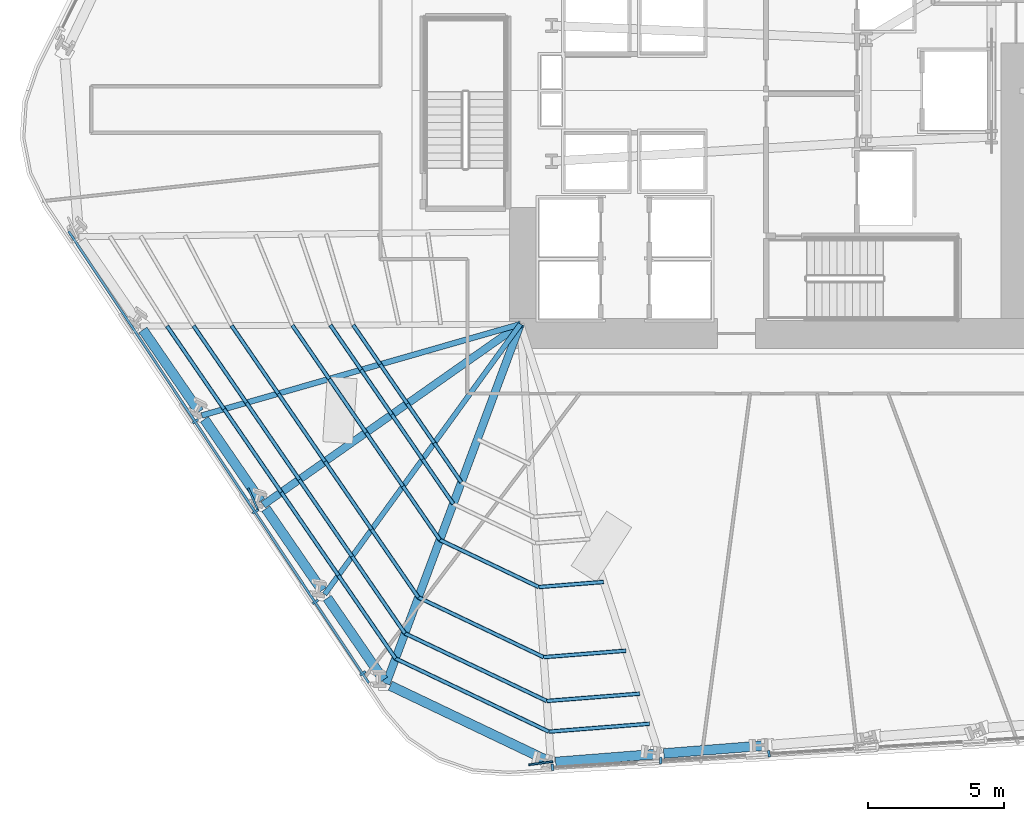
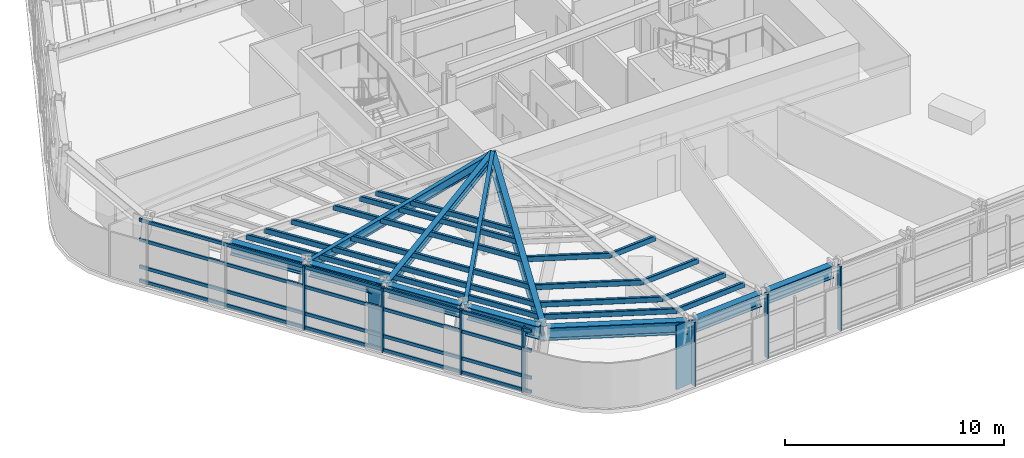
# One storey, part 2 of 15: 45 members, 11 beams, 2 elements without a shape of their own.
"""IFC4 building model written with IfcOpenShell, lengths in metres."""

from ifc_helpers import new_model, si_unit, direction, frame, origin, origin_2d, place, context, subcontext, project, spatial, rectangle, hollow_rectangle, i_section, extrude, material, layer, layer_set, material_profile, profile_set, type_object, element, aggregate, save


model = new_model("IFC4")

# Units and contexts
model_context = context("Model", 3, precision=1e-05, world=origin(), true_north=direction((0.0, 1.0)))
body_context = subcontext(model_context, "Body", "Model", "MODEL_VIEW")
ifc_project = project(units=[si_unit("LENGTHUNIT", "METRE"), si_unit("AREAUNIT", "SQUARE_METRE"), si_unit("VOLUMEUNIT", "CUBIC_METRE"), si_unit("PLANEANGLEUNIT", "RADIAN"), si_unit("MASSUNIT", "GRAM", prefix="KILO")], contexts=[model_context])

# Site, building, storey
site_placement = place(None, origin())
site = spatial("IfcSite", under=ifc_project, at=site_placement, CompositionType="ELEMENT")
building_placement = place(site_placement, origin())
building = spatial("IfcBuilding", under=site, at=building_placement, Name="Valkerne Bourse Tower", CompositionType="ELEMENT")
storey_placement = place(building_placement, frame((0.0, 0.0, 39.199951171875)))
storey = spatial("IfcBuildingStorey", under=building, at=storey_placement, Name="L09", CompositionType="ELEMENT", Elevation=39.199951171875)

# Beams
ifc_material_1 = material(Name="Steel ASTM A992", Category="steel")
ifc_material_profile_1 = material_profile(ifc_material_1, i_section(OverallWidth=0.1904296875, OverallDepth=0.457275390625, WebThickness=0.009033203125, FlangeThickness=0.014404296875, FilletRadius=0.01513671875, at=origin_2d()), Name="W18X50")
ifc_profile_set_1 = profile_set([ifc_material_profile_1], Name="Steel ASTM A992")
beam_type_1 = type_object("IfcBeamType", Name="BM-W18X50", PredefinedType="JOIST", material=ifc_profile_set_1)
beam_1_placement = place(storey_placement, frame((30.389404296875, 8.4482421875, 3.3515625), z_axis=(0.586740323091, 0.809775149816, 0.0), x_axis=(-0.809775149816, 0.586740323091, 0.0)))
element("IfcBeam", 1, at=beam_1_placement, inside=storey, type_object=beam_type_1, Name="L09 Radial Composite Floor Beam 22", PredefinedType="JOIST", context=body_context, shape_type="SweptSolid", body=[
    extrude(i_section(OverallWidth=0.1904296875, OverallDepth=0.457275390625, WebThickness=0.009033203125, FlangeThickness=0.014404296875, FilletRadius=0.01513671875, at=origin_2d()), origin(), (0.0, 0.0, 1.0), 12.289306640625),
])
ifc_material_profile_2 = material_profile(ifc_material_1, i_section(OverallWidth=0.279296875, OverallDepth=0.46240234375, WebThickness=0.0107421875, FlangeThickness=0.017333984375, FilletRadius=0.017822265625, at=origin_2d()), Name="W18X76")
ifc_profile_set_2 = profile_set([ifc_material_profile_2], Name="Steel ASTM A992")
beam_type_2 = type_object("IfcBeamType", Name="BM-W18X76", PredefinedType="BEAM", material=ifc_profile_set_2)
beam_2_placement = place(storey_placement, frame((28.126220703125, 11.741455078125, 3.348876953125), z_axis=(0.818145856943, 0.575010744914, 0.0), x_axis=(-0.575010744914, 0.818145856943, 0.0)))
element("IfcBeam", 2, at=beam_2_placement, inside=storey, type_object=beam_type_2, Name="L09 Radial Composite Floor Beam 21", PredefinedType="BEAM", context=body_context, shape_type="SweptSolid", body=[
    extrude(i_section(OverallWidth=0.279296875, OverallDepth=0.46240234375, WebThickness=0.0107421875, FlangeThickness=0.017333984375, FilletRadius=0.017822265625, at=origin_2d()), origin(), (0.0, 0.0, 1.0), 11.57958984375),
])
ifc_material_profile_3 = material_profile(ifc_material_1, i_section(OverallWidth=0.209228515625, OverallDepth=0.533447265625, WebThickness=0.01025390625, FlangeThickness=0.015625, FilletRadius=0.017822265625, at=origin_2d()), Name="W21X62")
ifc_profile_set_3 = profile_set([ifc_material_profile_3], Name="Steel ASTM A992")
beam_type_3 = type_object("IfcBeamType", Name="BM-W21X62", PredefinedType="JOIST", material=ifc_profile_set_3)
beam_3_placement = place(storey_placement, frame((25.86279296875, 15.03466796875, 3.313232421875), z_axis=(0.961270019245, 0.275608327342, 0.0), x_axis=(-0.275608327342, 0.961270019245, 0.0)))
element("IfcBeam", 3, at=beam_3_placement, inside=storey, type_object=beam_type_3, Name="L09 Radial Composite Floor Beam 20", PredefinedType="JOIST", context=body_context, shape_type="SweptSolid", body=[
    extrude(i_section(OverallWidth=0.209228515625, OverallDepth=0.533447265625, WebThickness=0.01025390625, FlangeThickness=0.015625, FilletRadius=0.017822265625, at=origin_2d()), origin(), (0.0, 0.0, 1.0), 12.210205078125),
])
ifc_material_profile_4 = material_profile(ifc_material_1, i_section(OverallWidth=0.358154296875, OverallDepth=0.7060546875, WebThickness=0.018310546875, FlangeThickness=0.0302734375, FilletRadius=0.02294921875, at=origin_2d()), Name="W27X178")
ifc_profile_set_4 = profile_set([ifc_material_profile_4], Name="Steel ASTM A992")
beam_type_4 = type_object("IfcBeamType", Name="BM-W27X178", PredefinedType="SPANDREL", material=ifc_profile_set_4)
for number, where, z_axis, x_axis, name in (
    (4, (23.69580078125, 18.187744140625, 3.22705078125), (0.566418287264, -0.824117906523, 0.0), (0.824117906523, 0.566418287264, 0.0), "L09 Hexagonal Spandrel Ring Beam 19"),
    (5, (25.958984375, 14.89453125, 3.22705078125), (0.566418287264, -0.824117906523, 0.0), (0.824117906523, 0.566418287264, 0.0), "L09 Hexagonal Spandrel Ring Beam 20"),
    (6, (28.222412109375, 11.601318359375, 3.22705078125), (0.566418287264, -0.824117906523, 0.0), (0.824117906523, 0.566418287264, 0.0), "L09 Hexagonal Spandrel Ring Beam 21"),
):
    element("IfcBeam", number, at=place(storey_placement, frame(where, z_axis=z_axis, x_axis=x_axis)), inside=storey, type_object=beam_type_4, Name=name, PredefinedType="SPANDREL", context=body_context, shape_type="SweptSolid", body=[
        extrude(i_section(OverallWidth=0.358154296875, OverallDepth=0.7060546875, WebThickness=0.018310546875, FlangeThickness=0.0302734375, FilletRadius=0.02294921875, at=origin_2d()), origin(), (0.0, 0.0, 1.0), 3.656005859375),
    ])
beam_4_placement = place(storey_placement, frame((30.48583984375, 8.30810546875, 3.22705078125), z_axis=(0.566372930471, -0.824149078522, 0.0), x_axis=(0.824149078522, 0.566372930471, 0.0)))
element("IfcBeam", 7, at=beam_4_placement, inside=storey, type_object=beam_type_4, Name="L09 Hexagonal Spandrel Ring Beam 22", PredefinedType="SPANDREL", context=body_context, shape_type="SweptSolid", body=[
    extrude(i_section(OverallWidth=0.358154296875, OverallDepth=0.7060546875, WebThickness=0.018310546875, FlangeThickness=0.0302734375, FilletRadius=0.02294921875, at=origin_2d()), origin(), (0.0, 0.0, 1.0), 3.65576171875),
])
beam_5_placement = place(storey_placement, frame((32.80615234375, 5.081787109375, 3.22705078125), z_axis=(0.902594772844, -0.430491203203, 0.0), x_axis=(0.430491203203, 0.902594772844, 0.0)))
element("IfcBeam", 8, at=beam_5_placement, inside=storey, type_object=beam_type_4, Name="L09 Hexagonal Spandrel Ring Beam 23", PredefinedType="SPANDREL", context=body_context, shape_type="SweptSolid", body=[
    extrude(i_section(OverallWidth=0.358154296875, OverallDepth=0.7060546875, WebThickness=0.018310546875, FlangeThickness=0.0302734375, FilletRadius=0.02294921875, at=origin_2d()), origin(), (0.0, 0.0, 1.0), 6.38916015625),
])
for number, where, z_axis, x_axis, name in (
    (9, (38.895751953125, 2.271484375, 3.22705078125), (0.996917008748, 0.07846322495, 0.0), (-0.07846322495, 0.996917008748, 0.0), "L09 Hexagonal Spandrel Ring Beam 24"),
    (10, (42.87939453125, 2.5849609375, 3.22705078125), (0.996917008748, 0.07846322495, 0.0), (-0.07846322495, 0.996917008748, 0.0), "L09 Hexagonal Spandrel Ring Beam 25"),
):
    element("IfcBeam", number, at=place(storey_placement, frame(where, z_axis=z_axis, x_axis=x_axis)), inside=storey, type_object=beam_type_4, Name=name, PredefinedType="SPANDREL", context=body_context, shape_type="SweptSolid", body=[
        extrude(i_section(OverallWidth=0.358154296875, OverallDepth=0.7060546875, WebThickness=0.018310546875, FlangeThickness=0.0302734375, FilletRadius=0.02294921875, at=origin_2d()), origin(), (0.0, 0.0, 1.0), 3.656005859375),
    ])
ifc_material_profile_5 = material_profile(ifc_material_1, i_section(OverallWidth=0.2919921875, OverallDepth=0.8583984375, WebThickness=0.01708984375, FlangeThickness=0.031005859375, FilletRadius=0.025390625, at=origin_2d()), Name="W33X169")
ifc_profile_set_5 = profile_set([ifc_material_profile_5], Name="Steel ASTM A992")
beam_type_5 = type_object("IfcBeamType", Name="BM-W33X169", PredefinedType="BEAM", material=ifc_profile_set_5)
beam_6_placement = place(storey_placement, frame((32.65283203125, 5.155029296875, 3.150634765625), z_axis=(0.349910158878, 0.936783262401, 0.0), x_axis=(-0.936783262401, 0.349910158878, 0.0)))
element("IfcBeam", 11, at=beam_6_placement, inside=storey, type_object=beam_type_5, Name="L09 Radial Composite Floor Beam 23", PredefinedType="BEAM", context=body_context, shape_type="SweptSolid", body=[
    extrude(i_section(OverallWidth=0.2919921875, OverallDepth=0.8583984375, WebThickness=0.01708984375, FlangeThickness=0.031005859375, FilletRadius=0.025390625, at=origin_2d()), origin(), (0.0, 0.0, 1.0), 14.138671875),
])

# Curtain wall, members
ifc_material_2 = material(Name="Aluminium AA 6063-T6", Category="aluminium")
ifc_layer = layer(ifc_material_2, 0.22509765625)
ifc_layer_set = layer_set([ifc_layer], Name="Aluminium AA 6063-T6")
curtain_wall_type = type_object("IfcCurtainWallType", Name="CW-01", PredefinedType="NOTDEFINED", material=ifc_layer_set)
curtain_wall_1_placement = place(storey_placement, origin())
curtain_wall_1 = element("IfcCurtainWall", 12, at=curtain_wall_1_placement, inside=storey, type_object=curtain_wall_type, Name="L09 Hexagonal Stick Curtain Wall Face 4", PredefinedType="NOTDEFINED")
ifc_material_profile_6 = material_profile(ifc_material_2, rectangle(XDim=0.090087890625, YDim=0.239990234375, at=origin_2d()), Name="CWM-90X240")
ifc_profile_set_6 = profile_set([ifc_material_profile_6], Name="Aluminium AA 6063-T6")
member_type_1 = type_object("IfcMemberType", Name="CW-MUL-240X90", PredefinedType="MULLION", material=ifc_profile_set_6)
member_1_placement = place(storey_placement, frame((25.626708984375, 14.826904296875, 0.0), z_axis=(0.0, 0.0, 1.0), x_axis=(0.553377022495, -0.832930892076, 0.0)))
member_1 = element("IfcMember", 13, at=member_1_placement, type_object=member_type_1, Name="CW-L09-F4 Jamb Mullion 02A", PredefinedType="MULLION", context=body_context, shape_type="SweptSolid", body=[
    extrude(rectangle(XDim=0.090087890625, YDim=0.239990234375, at=origin_2d()), origin(), (0.0, 0.0, 1.0), 3.580078125),
])
member_2_placement = place(storey_placement, frame((27.837890625, 11.49853515625, 0.0), z_axis=(0.0, 0.0, 1.0), x_axis=(0.553405918649, -0.832911693521, 0.0)))
member_2 = element("IfcMember", 14, at=member_2_placement, type_object=member_type_1, Name="CW-L09-F4 Jamb Mullion 03A", PredefinedType="MULLION", context=body_context, shape_type="SweptSolid", body=[
    extrude(rectangle(XDim=0.090087890625, YDim=0.239990234375, at=origin_2d()), origin(), (0.0, 0.0, 1.0), 3.580078125),
])
member_3_placement = place(storey_placement, frame((30.04931640625, 8.17041015625, 0.0), z_axis=(0.0, 0.0, 1.0), x_axis=(0.553377022495, -0.832930892076, 0.0)))
member_3 = element("IfcMember", 15, at=member_3_placement, type_object=member_type_1, Name="CW-L09-F4 Jamb Mullion 04A", PredefinedType="MULLION", context=body_context, shape_type="SweptSolid", body=[
    extrude(rectangle(XDim=0.090087890625, YDim=0.239990234375, at=origin_2d()), origin(), (0.0, 0.0, 1.0), 3.580078125),
])
member_4_placement = place(storey_placement, frame((31.7958984375, 5.54150390625, 0.0), z_axis=(0.0, 0.0, 1.0), x_axis=(0.553377022495, -0.832930892076, 0.0)))
member_4 = element("IfcMember", 16, at=member_4_placement, type_object=member_type_1, Name="CW-L09-F4 Jamb Mullion 04B", PredefinedType="MULLION", context=body_context, shape_type="SweptSolid", body=[
    extrude(rectangle(XDim=0.090087890625, YDim=0.239990234375, at=origin_2d()), origin(), (0.0, 0.0, 1.0), 3.580078125),
])

curtain_wall_2_placement = place(storey_placement, origin())
curtain_wall_2 = element("IfcCurtainWall", 17, at=curtain_wall_2_placement, inside=storey, type_object=curtain_wall_type, Name="L09 Hexagonal Stick Curtain Wall Face 5", PredefinedType="NOTDEFINED")
member_5_placement = place(storey_placement, frame((38.779296875, 2.074951171875, 0.0), z_axis=(0.0, 0.0, 1.0), x_axis=(0.998025316519, 0.062812957155, 0.0)))
member_5 = element("IfcMember", 18, at=member_5_placement, type_object=member_type_1, Name="CW-L09-F5 Jamb Mullion 00A", PredefinedType="MULLION", context=body_context, shape_type="SweptSolid", body=[
    extrude(rectangle(XDim=0.090087890625, YDim=0.239990234375, at=origin_2d()), origin(), (0.0, 0.0, 1.0), 3.580078125),
])
member_6_placement = place(storey_placement, frame((42.767333984375, 2.325927734375, 0.0), z_axis=(0.0, 0.0, 1.0), x_axis=(0.998026885005, 0.062788030758, 0.0)))
member_6 = element("IfcMember", 19, at=member_6_placement, type_object=member_type_1, Name="CW-L09-F5 Jamb Mullion 01A", PredefinedType="MULLION", context=body_context, shape_type="SweptSolid", body=[
    extrude(rectangle(XDim=0.090087890625, YDim=0.239990234375, at=origin_2d()), origin(), (0.0, 0.0, 1.0), 3.580078125),
])
member_7_placement = place(storey_placement, frame((46.75537109375, 2.576904296875, 0.0), z_axis=(0.0, 0.0, 1.0), x_axis=(0.99802698366, 0.062786462608, 0.0)))
member_7 = element("IfcMember", 20, at=member_7_placement, type_object=member_type_1, Name="CW-L09-F5 Jamb Mullion 02A", PredefinedType="MULLION", context=body_context, shape_type="SweptSolid", body=[
    extrude(rectangle(XDim=0.090087890625, YDim=0.239990234375, at=origin_2d()), origin(), (0.0, 0.0, 1.0), 3.580078125),
])
aggregate(curtain_wall_2, [member_5, member_6, member_7])

# Member
ifc_material_profile_7 = material_profile(ifc_material_2, rectangle(XDim=0.090087890625, YDim=0.179931640625, at=origin_2d()), Name="CWT-90X180")
ifc_profile_set_7 = profile_set([ifc_material_profile_7], Name="Aluminium AA 6063-T6")
member_type_2 = type_object("IfcMemberType", Name="CW-TRN-180X90", PredefinedType="USERDEFINED", material=ifc_profile_set_7)
member_8_placement = place(storey_placement, frame((20.954833984375, 21.822509765625, 0.1201171875), z_axis=(0.553385464965, -0.832925283063, 0.0), x_axis=(0.832925283063, 0.553385464965, 0.0)))
member_8 = element("IfcMember", 21, at=member_8_placement, type_object=member_type_2, Name="CW-L09-F4 Continuous Face Transom 1", ObjectType="TRANSOM", PredefinedType="USERDEFINED", context=body_context, shape_type="SweptSolid", body=[
    extrude(rectangle(XDim=0.090087890625, YDim=0.179931640625, at=origin_2d()), origin(), (0.0, 0.0, 1.0), 19.97998046875),
])

member_9_placement = place(storey_placement, frame((20.954833984375, 21.822509765625, 0.900146484375), z_axis=(0.553385464965, -0.832925283063, 0.0), x_axis=(0.832925283063, 0.553385464965, 0.0)))
member_9 = element("IfcMember", 22, at=member_9_placement, type_object=member_type_2, Name="CW-L09-F4 Continuous Face Transom 2", ObjectType="TRANSOM", PredefinedType="USERDEFINED", context=body_context, shape_type="SweptSolid", body=[
    extrude(rectangle(XDim=0.090087890625, YDim=0.179931640625, at=origin_2d()), origin(), (0.0, 0.0, 1.0), 19.97998046875),
])

member_10_placement = place(storey_placement, frame((20.954833984375, 21.822509765625, 2.400146484375), z_axis=(0.553385464965, -0.832925283063, 0.0), x_axis=(0.832925283063, 0.553385464965, 0.0)))
member_10 = element("IfcMember", 23, at=member_10_placement, type_object=member_type_2, Name="CW-L09-F4 Continuous Face Transom 3", ObjectType="TRANSOM", PredefinedType="USERDEFINED", context=body_context, shape_type="SweptSolid", body=[
    extrude(rectangle(XDim=0.090087890625, YDim=0.179931640625, at=origin_2d()), origin(), (0.0, 0.0, 1.0), 19.97998046875),
])

member_11_placement = place(storey_placement, frame((20.954833984375, 21.822509765625, 3.5), z_axis=(0.553385464965, -0.832925283063, 0.0), x_axis=(0.832925283063, 0.553385464965, 0.0)))
member_11 = element("IfcMember", 24, at=member_11_placement, type_object=member_type_2, Name="CW-L09-F4 Continuous Face Transom 4", ObjectType="TRANSOM", PredefinedType="USERDEFINED", context=body_context, shape_type="SweptSolid", body=[
    extrude(rectangle(XDim=0.090087890625, YDim=0.179931640625, at=origin_2d()), origin(), (0.0, 0.0, 1.0), 19.97998046875),
])

aggregate(curtain_wall_1, [member_8, member_9, member_10, member_11, member_1, member_2, member_3, member_4])

# Members
ifc_material_3 = material(Name="Bronze Anodised Aluminium AA 6063-T6", Category="aluminium")
ifc_material_profile_8 = material_profile(ifc_material_3, rectangle(XDim=0.070068359375, YDim=0.89990234375, at=origin_2d()), Name="FIN-70X900")
ifc_profile_set_8 = profile_set([ifc_material_profile_8], Name="Bronze Anodised Aluminium AA 6063-T6")
member_type_3 = type_object("IfcMemberType", Name="FIN-SOLAR-900", PredefinedType="USERDEFINED", material=ifc_profile_set_8)
for number, where, z_axis, x_axis, name in (
    (25, (27.75537109375, 11.947998046875, 0.004150390625), (0.0, 0.0, 1.0), (-0.913040213638, -0.407869548115, 0.0), "L09 Bronze Anodised Solar Fin F4-03"),
    (26, (38.348876953125, 2.228271484375, 0.004150390625), (0.0, 0.0, 1.0), (0.134300160338, -0.99094069799, 0.0), "L09 Bronze Anodised Solar Fin F5-00"),
):
    element("IfcMember", number, at=place(storey_placement, frame(where, z_axis=z_axis, x_axis=x_axis)), inside=storey, type_object=member_type_3, Name=name, ObjectType="SOLAR_FIN", PredefinedType="USERDEFINED", context=body_context, shape_type="SweptSolid", body=[
        extrude(rectangle(XDim=0.070068359375, YDim=0.89990234375, at=origin_2d()), origin(), (0.0, 0.0, 1.0), 3.57177734375),
    ])
ifc_material_4 = material(Name="Steel ASTM A500 Grade C", Category="steel")
ifc_material_profile_9 = material_profile(ifc_material_4, hollow_rectangle(XDim=0.14990234375, YDim=0.300048828125, WallThickness=0.012451171875, OuterFilletRadius=0.02490234375, at=origin_2d()), Name="HSS300X150X12.5")
ifc_profile_set_9 = profile_set([ifc_material_profile_9], Name="Steel ASTM A500 Grade C")
member_type_4 = type_object("IfcMemberType", Name="MBR-HSS300X150X12.5", PredefinedType="PURLIN", material=ifc_profile_set_9)
for number, where, z_axis, x_axis, name in (
    (27, (31.439697265625, 18.3681640625, 3.420166015625), (0.56640505905, -0.824126998152, 0.0), (0.824126998152, 0.56640505905, 0.0), "L09 Secondary Composite Floor Purlin K-19"),
    (28, (32.435546875, 16.919189453125, 3.420166015625), (0.56640505905, -0.824126998152, 0.0), (0.824126998152, 0.56640505905, 0.0), "L09 Secondary Composite Floor Purlin K-20"),
    (29, (33.431396484375, 15.47021484375, 3.420166015625), (0.566499358783, -0.824062179995, 0.0), (0.824062179995, 0.566499358783, 0.0), "L09 Secondary Composite Floor Purlin K-21"),
):
    element("IfcMember", number, at=place(storey_placement, frame(where, z_axis=z_axis, x_axis=x_axis)), inside=storey, type_object=member_type_4, Name=name, PredefinedType="PURLIN", context=body_context, shape_type="SweptSolid", body=[
        extrude(hollow_rectangle(XDim=0.14990234375, YDim=0.300048828125, WallThickness=0.012451171875, OuterFilletRadius=0.02490234375, at=origin_2d()), origin(), (0.0, 0.0, 1.0), 1.75830078125),
    ])
member_12_placement = place(storey_placement, frame((34.427490234375, 14.021240234375, 3.420166015625), z_axis=(0.566310737064, -0.824191815712, 0.0), x_axis=(0.824191815712, 0.566310737064, 0.0)))
element("IfcMember", 30, at=member_12_placement, inside=storey, type_object=member_type_4, Name="L09 Secondary Composite Floor Purlin K-22", PredefinedType="PURLIN", context=body_context, shape_type="SweptSolid", body=[
    extrude(hollow_rectangle(XDim=0.14990234375, YDim=0.300048828125, WallThickness=0.012451171875, OuterFilletRadius=0.02490234375, at=origin_2d()), origin(), (0.0, 0.0, 1.0), 1.758056640625),
])
member_13_placement = place(storey_placement, frame((30.599609375, 18.364013671875, 3.420166015625), z_axis=(0.56643029637, -0.824109652506, 0.0), x_axis=(0.824109652506, 0.56643029637, 0.0)))
element("IfcMember", 31, at=member_13_placement, inside=storey, type_object=member_type_4, Name="L09 Secondary Composite Floor Purlin M-19", PredefinedType="PURLIN", context=body_context, shape_type="SweptSolid", body=[
    extrude(hollow_rectangle(XDim=0.14990234375, YDim=0.300048828125, WallThickness=0.012451171875, OuterFilletRadius=0.02490234375, at=origin_2d()), origin(), (0.0, 0.0, 1.0), 1.998291015625),
])
member_14_placement = place(storey_placement, frame((31.7314453125, 16.71728515625, 3.420166015625), z_axis=(0.566404345844, -0.824127488322, 0.0), x_axis=(0.824127488322, 0.566404345844, 0.0)))
element("IfcMember", 32, at=member_14_placement, inside=storey, type_object=member_type_4, Name="L09 Secondary Composite Floor Purlin M-20", PredefinedType="PURLIN", context=body_context, shape_type="SweptSolid", body=[
    extrude(hollow_rectangle(XDim=0.14990234375, YDim=0.300048828125, WallThickness=0.012451171875, OuterFilletRadius=0.02490234375, at=origin_2d()), origin(), (0.0, 0.0, 1.0), 1.997802734375),
])
member_15_placement = place(storey_placement, frame((32.863037109375, 15.07080078125, 3.420166015625), z_axis=(0.56643029637, -0.824109652506, 0.0), x_axis=(0.824109652506, 0.56643029637, 0.0)))
element("IfcMember", 33, at=member_15_placement, inside=storey, type_object=member_type_4, Name="L09 Secondary Composite Floor Purlin M-21", PredefinedType="PURLIN", context=body_context, shape_type="SweptSolid", body=[
    extrude(hollow_rectangle(XDim=0.14990234375, YDim=0.300048828125, WallThickness=0.012451171875, OuterFilletRadius=0.02490234375, at=origin_2d()), origin(), (0.0, 0.0, 1.0), 1.998291015625),
])
member_16_placement = place(storey_placement, frame((33.994873046875, 13.424072265625, 3.420166015625), z_axis=(0.566404345844, -0.824127488322, 0.0), x_axis=(0.824127488322, 0.566404345844, 0.0)))
element("IfcMember", 34, at=member_16_placement, inside=storey, type_object=member_type_4, Name="L09 Secondary Composite Floor Purlin M-22", PredefinedType="PURLIN", context=body_context, shape_type="SweptSolid", body=[
    extrude(hollow_rectangle(XDim=0.14990234375, YDim=0.300048828125, WallThickness=0.012451171875, OuterFilletRadius=0.02490234375, at=origin_2d()), origin(), (0.0, 0.0, 1.0), 1.997802734375),
])
member_17_placement = place(storey_placement, frame((26.95947265625, 18.34521484375, 3.420166015625), z_axis=(0.566405997374, -0.824126353261, 0.0), x_axis=(0.824126353261, 0.566405997374, 0.0)))
element("IfcMember", 35, at=member_17_placement, inside=storey, type_object=member_type_4, Name="L09 Secondary Composite Floor Purlin O-19", PredefinedType="PURLIN", context=body_context, shape_type="SweptSolid", body=[
    extrude(hollow_rectangle(XDim=0.14990234375, YDim=0.300048828125, WallThickness=0.012451171875, OuterFilletRadius=0.02490234375, at=origin_2d()), origin(), (0.0, 0.0, 1.0), 3.037109375),
])
member_18_placement = place(storey_placement, frame((28.6796875, 15.84228515625, 3.420166015625), z_axis=(0.566443523076, -0.824100561318, 0.0), x_axis=(0.824100561318, 0.566443523076, 0.0)))
element("IfcMember", 36, at=member_18_placement, inside=storey, type_object=member_type_4, Name="L09 Secondary Composite Floor Purlin O-20", PredefinedType="PURLIN", context=body_context, shape_type="SweptSolid", body=[
    extrude(hollow_rectangle(XDim=0.14990234375, YDim=0.300048828125, WallThickness=0.012451171875, OuterFilletRadius=0.02490234375, at=origin_2d()), origin(), (0.0, 0.0, 1.0), 3.036865234375),
])
member_19_placement = place(storey_placement, frame((30.39990234375, 13.339599609375, 3.420166015625), z_axis=(0.566405997374, -0.824126353261, 0.0), x_axis=(0.824126353261, 0.566405997374, 0.0)))
element("IfcMember", 37, at=member_19_placement, inside=storey, type_object=member_type_4, Name="L09 Secondary Composite Floor Purlin O-21", PredefinedType="PURLIN", context=body_context, shape_type="SweptSolid", body=[
    extrude(hollow_rectangle(XDim=0.14990234375, YDim=0.300048828125, WallThickness=0.012451171875, OuterFilletRadius=0.02490234375, at=origin_2d()), origin(), (0.0, 0.0, 1.0), 3.037109375),
])
member_20_placement = place(storey_placement, frame((32.1201171875, 10.836669921875, 3.420166015625), z_axis=(0.566351396138, -0.824163876964, 0.0), x_axis=(0.824163876964, 0.566351396138, 0.0)))
element("IfcMember", 38, at=member_20_placement, inside=storey, type_object=member_type_4, Name="L09 Secondary Composite Floor Purlin O-22", PredefinedType="PURLIN", context=body_context, shape_type="SweptSolid", body=[
    extrude(hollow_rectangle(XDim=0.14990234375, YDim=0.300048828125, WallThickness=0.012451171875, OuterFilletRadius=0.02490234375, at=origin_2d()), origin(), (0.0, 0.0, 1.0), 3.036865234375),
])
member_21_placement = place(storey_placement, frame((33.840087890625, 8.333740234375, 3.420166015625), z_axis=(0.902588556452, -0.430504236636, 0.0), x_axis=(0.430504236636, 0.902588556452, 0.0)))
element("IfcMember", 39, at=member_21_placement, inside=storey, type_object=member_type_4, Name="L09 Secondary Composite Floor Purlin O-23", PredefinedType="PURLIN", context=body_context, shape_type="SweptSolid", body=[
    extrude(hollow_rectangle(XDim=0.14990234375, YDim=0.300048828125, WallThickness=0.012451171875, OuterFilletRadius=0.02490234375, at=origin_2d()), origin(), (0.0, 0.0, 1.0), 5.1142578125),
])
member_22_placement = place(storey_placement, frame((38.4560546875, 6.132080078125, 3.420166015625), z_axis=(0.996917207134, 0.078460704311, 0.0), x_axis=(-0.078460704311, 0.996917207134, 0.0)))
element("IfcMember", 40, at=member_22_placement, inside=storey, type_object=member_type_4, Name="L09 Secondary Composite Floor Purlin O-24", PredefinedType="PURLIN", context=body_context, shape_type="SweptSolid", body=[
    extrude(hollow_rectangle(XDim=0.14990234375, YDim=0.300048828125, WallThickness=0.012451171875, OuterFilletRadius=0.02490234375, at=origin_2d()), origin(), (0.0, 0.0, 1.0), 3.036865234375),
])
member_23_placement = place(storey_placement, frame((29.19970703125, 18.356689453125, 3.420166015625), z_axis=(0.566394838899, -0.824134022152, 0.0), x_axis=(0.824134022152, 0.566394838899, 0.0)))
element("IfcMember", 41, at=member_23_placement, inside=storey, type_object=member_type_4, Name="L09 Secondary Composite Floor Purlin Z-19", PredefinedType="PURLIN", context=body_context, shape_type="SweptSolid", body=[
    extrude(hollow_rectangle(XDim=0.14990234375, YDim=0.300048828125, WallThickness=0.012451171875, OuterFilletRadius=0.02490234375, at=origin_2d()), origin(), (0.0, 0.0, 1.0), 2.3974609375),
])
member_24_placement = place(storey_placement, frame((30.5576171875, 16.380859375, 3.420166015625), z_axis=(0.566416466143, -0.824119158181, 0.0), x_axis=(0.824119158181, 0.566416466143, 0.0)))
element("IfcMember", 42, at=member_24_placement, inside=storey, type_object=member_type_4, Name="L09 Secondary Composite Floor Purlin Z-20", PredefinedType="PURLIN", context=body_context, shape_type="SweptSolid", body=[
    extrude(hollow_rectangle(XDim=0.14990234375, YDim=0.300048828125, WallThickness=0.012451171875, OuterFilletRadius=0.02490234375, at=origin_2d()), origin(), (0.0, 0.0, 1.0), 2.397705078125),
])
member_25_placement = place(storey_placement, frame((31.915771484375, 14.40478515625, 3.420166015625), z_axis=(0.566394838899, -0.824134022152, 0.0), x_axis=(0.824134022152, 0.566394838899, 0.0)))
element("IfcMember", 43, at=member_25_placement, inside=storey, type_object=member_type_4, Name="L09 Secondary Composite Floor Purlin Z-21", PredefinedType="PURLIN", context=body_context, shape_type="SweptSolid", body=[
    extrude(hollow_rectangle(XDim=0.14990234375, YDim=0.300048828125, WallThickness=0.012451171875, OuterFilletRadius=0.02490234375, at=origin_2d()), origin(), (0.0, 0.0, 1.0), 2.3974609375),
])
member_26_placement = place(storey_placement, frame((33.273681640625, 12.428955078125, 3.420166015625), z_axis=(0.566347307829, -0.824166686366, 0.0), x_axis=(0.824166686366, 0.566347307829, 0.0)))
element("IfcMember", 44, at=member_26_placement, inside=storey, type_object=member_type_4, Name="L09 Secondary Composite Floor Purlin Z-22", PredefinedType="PURLIN", context=body_context, shape_type="SweptSolid", body=[
    extrude(hollow_rectangle(XDim=0.14990234375, YDim=0.300048828125, WallThickness=0.012451171875, OuterFilletRadius=0.02490234375, at=origin_2d()), origin(), (0.0, 0.0, 1.0), 2.397705078125),
])
member_27_placement = place(storey_placement, frame((34.631591796875, 10.452880859375, 3.420166015625), z_axis=(0.902604404112, -0.430471009102, 0.0), x_axis=(0.430471009102, 0.902604404112, 0.0)))
element("IfcMember", 45, at=member_27_placement, inside=storey, type_object=member_type_4, Name="L09 Secondary Composite Floor Purlin Z-23", PredefinedType="PURLIN", context=body_context, shape_type="SweptSolid", body=[
    extrude(hollow_rectangle(XDim=0.14990234375, YDim=0.300048828125, WallThickness=0.012451171875, OuterFilletRadius=0.02490234375, at=origin_2d()), origin(), (0.0, 0.0, 1.0), 4.03759765625),
])
member_28_placement = place(storey_placement, frame((38.27587890625, 8.71484375, 3.420166015625), z_axis=(0.996913268015, 0.078510738472, 0.0), x_axis=(-0.078510738472, 0.996913268015, 0.0)))
element("IfcMember", 46, at=member_28_placement, inside=storey, type_object=member_type_4, Name="L09 Secondary Composite Floor Purlin Z-24", PredefinedType="PURLIN", context=body_context, shape_type="SweptSolid", body=[
    extrude(hollow_rectangle(XDim=0.14990234375, YDim=0.300048828125, WallThickness=0.012451171875, OuterFilletRadius=0.02490234375, at=origin_2d()), origin(), (0.0, 0.0, 1.0), 2.3974609375),
])
for number, where, z_axis, x_axis, name in (
    (47, (25.5595703125, 18.337890625, 3.420166015625), (0.566432335096, -0.824108251237, 0.0), (0.824108251237, 0.566432335096, 0.0), "L09 Secondary Composite Floor Purlin T-19"),
    (48, (27.506103515625, 15.505859375, 3.420166015625), (0.566350920739, -0.82416420365, 0.0), (0.82416420365, 0.566350920739, 0.0), "L09 Secondary Composite Floor Purlin T-20"),
    (49, (29.452392578125, 12.673583984375, 3.420166015625), (0.566432335096, -0.824108251237, 0.0), (0.824108251237, 0.566432335096, 0.0), "L09 Secondary Composite Floor Purlin T-21"),
):
    element("IfcMember", number, at=place(storey_placement, frame(where, z_axis=z_axis, x_axis=x_axis)), inside=storey, type_object=member_type_4, Name=name, PredefinedType="PURLIN", context=body_context, shape_type="SweptSolid", body=[
        extrude(hollow_rectangle(XDim=0.14990234375, YDim=0.300048828125, WallThickness=0.012451171875, OuterFilletRadius=0.02490234375, at=origin_2d()), origin(), (0.0, 0.0, 1.0), 3.4365234375),
    ])
member_29_placement = place(storey_placement, frame((31.39892578125, 9.841552734375, 3.420166015625), z_axis=(0.566399173215, -0.82413104333, 0.0), x_axis=(0.82413104333, 0.566399173215, 0.0)))
element("IfcMember", 50, at=member_29_placement, inside=storey, type_object=member_type_4, Name="L09 Secondary Composite Floor Purlin T-22", PredefinedType="PURLIN", context=body_context, shape_type="SweptSolid", body=[
    extrude(hollow_rectangle(XDim=0.14990234375, YDim=0.300048828125, WallThickness=0.012451171875, OuterFilletRadius=0.02490234375, at=origin_2d()), origin(), (0.0, 0.0, 1.0), 3.436767578125),
])
member_30_placement = place(storey_placement, frame((33.345458984375, 7.00927734375, 3.420166015625), z_axis=(0.902592080113, -0.430496848905, 0.0), x_axis=(0.430496848905, 0.902592080113, 0.0)))
element("IfcMember", 51, at=member_30_placement, inside=storey, type_object=member_type_4, Name="L09 Secondary Composite Floor Purlin T-23", PredefinedType="PURLIN", context=body_context, shape_type="SweptSolid", body=[
    extrude(hollow_rectangle(XDim=0.14990234375, YDim=0.300048828125, WallThickness=0.012451171875, OuterFilletRadius=0.02490234375, at=origin_2d()), origin(), (0.0, 0.0, 1.0), 5.786865234375),
])
member_31_placement = place(storey_placement, frame((38.568603515625, 4.51806640625, 3.420166015625), z_axis=(0.996919672923, 0.078429367841, 0.0), x_axis=(-0.078429367841, 0.996919672923, 0.0)))
element("IfcMember", 52, at=member_31_placement, inside=storey, type_object=member_type_4, Name="L09 Secondary Composite Floor Purlin T-24", PredefinedType="PURLIN", context=body_context, shape_type="SweptSolid", body=[
    extrude(hollow_rectangle(XDim=0.14990234375, YDim=0.300048828125, WallThickness=0.012451171875, OuterFilletRadius=0.02490234375, at=origin_2d()), origin(), (0.0, 0.0, 1.0), 3.4365234375),
])
for number, where, z_axis, x_axis, name in (
    (53, (24.579345703125, 18.3330078125, 3.420166015625), (0.566408930701, -0.824124337235, 0.0), (0.824124337235, 0.566408930701, 0.0), "L09 Secondary Composite Floor Purlin U-19"),
    (54, (26.684326171875, 15.270263671875, 3.420166015625), (0.566408930701, -0.824124337235, 0.0), (0.824124337235, 0.566408930701, 0.0), "L09 Secondary Composite Floor Purlin U-20"),
    (55, (28.789306640625, 12.20751953125, 3.420166015625), (0.566408930701, -0.824124337235, 0.0), (0.824124337235, 0.566408930701, 0.0), "L09 Secondary Composite Floor Purlin U-21"),
):
    element("IfcMember", number, at=place(storey_placement, frame(where, z_axis=z_axis, x_axis=x_axis)), inside=storey, type_object=member_type_4, Name=name, PredefinedType="PURLIN", context=body_context, shape_type="SweptSolid", body=[
        extrude(hollow_rectangle(XDim=0.14990234375, YDim=0.300048828125, WallThickness=0.012451171875, OuterFilletRadius=0.02490234375, at=origin_2d()), origin(), (0.0, 0.0, 1.0), 3.71630859375),
    ])
member_32_placement = place(storey_placement, frame((30.894287109375, 9.144775390625, 3.420166015625), z_axis=(0.566394976743, -0.824133927417, 0.0), x_axis=(0.824133927417, 0.566394976743, 0.0)))
element("IfcMember", 56, at=member_32_placement, inside=storey, type_object=member_type_4, Name="L09 Secondary Composite Floor Purlin U-22", PredefinedType="PURLIN", context=body_context, shape_type="SweptSolid", body=[
    extrude(hollow_rectangle(XDim=0.14990234375, YDim=0.300048828125, WallThickness=0.012451171875, OuterFilletRadius=0.02490234375, at=origin_2d()), origin(), (0.0, 0.0, 1.0), 3.716064453125),
])
member_33_placement = place(storey_placement, frame((32.9990234375, 6.082275390625, 3.420166015625), z_axis=(0.902574762664, -0.430533155289, 0.0), x_axis=(0.430533155289, 0.902574762664, 0.0)))
element("IfcMember", 57, at=member_33_placement, inside=storey, type_object=member_type_4, Name="L09 Secondary Composite Floor Purlin U-23", PredefinedType="PURLIN", context=body_context, shape_type="SweptSolid", body=[
    extrude(hollow_rectangle(XDim=0.14990234375, YDim=0.300048828125, WallThickness=0.012451171875, OuterFilletRadius=0.02490234375, at=origin_2d()), origin(), (0.0, 0.0, 1.0), 6.258056640625),
])
member_34_placement = place(storey_placement, frame((38.6474609375, 3.387939453125, 3.420166015625), z_axis=(0.996913727556, 0.078504903093, 0.0), x_axis=(-0.078504903093, 0.996913727556, 0.0)))
element("IfcMember", 58, at=member_34_placement, inside=storey, type_object=member_type_4, Name="L09 Secondary Composite Floor Purlin U-24", PredefinedType="PURLIN", context=body_context, shape_type="SweptSolid", body=[
    extrude(hollow_rectangle(XDim=0.14990234375, YDim=0.300048828125, WallThickness=0.012451171875, OuterFilletRadius=0.02490234375, at=origin_2d()), origin(), (0.0, 0.0, 1.0), 3.71630859375),
])

save(model, "model.ifc")
